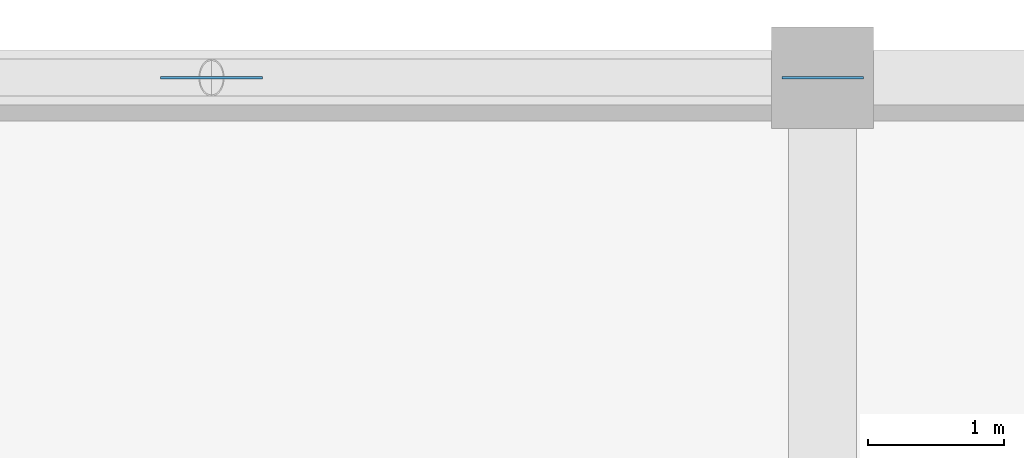
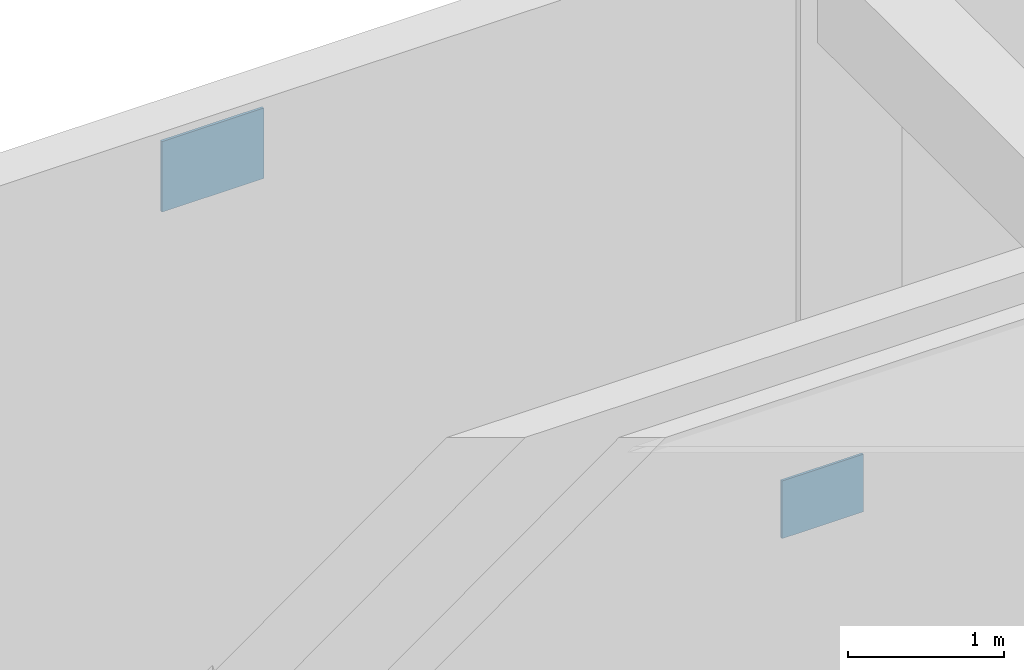
# One storey, part 99 of 128: 2 plates.
"""IFC4 building model written with IfcOpenShell, lengths in metres."""

from ifc_helpers import new_model, si_unit, direction, frame, origin, origin_2d, place, context, subcontext, project, spatial, rectangle, extrude, material, layer, layer_set, type_object, element, save


model = new_model("IFC4")

# Units and contexts
model_context = context("Model", 3, precision=1e-05, world=origin(), true_north=direction((0.0, 1.0)))
body_context = subcontext(model_context, "Body", "Model", "MODEL_VIEW")
ifc_project = project(units=[si_unit("LENGTHUNIT", "METRE"), si_unit("AREAUNIT", "SQUARE_METRE"), si_unit("VOLUMEUNIT", "CUBIC_METRE"), si_unit("PLANEANGLEUNIT", "RADIAN"), si_unit("MASSUNIT", "GRAM", prefix="KILO")], contexts=[model_context])

# Site, building, storey
site_placement = place(None, origin())
site = spatial("IfcSite", under=ifc_project, at=site_placement, CompositionType="ELEMENT")
building_placement = place(site_placement, origin())
building = spatial("IfcBuilding", under=site, at=building_placement, Name="Miravela Opera House", CompositionType="ELEMENT")
storey_placement = place(building_placement, origin())
storey = spatial("IfcBuildingStorey", under=building, at=storey_placement, Name="L00", CompositionType="ELEMENT", Elevation=0.0)

# Plates
ifc_material = material(Name="Structural steel ASTM A572 Gr. 50", Category="steel")
ifc_layer_1 = layer(ifc_material, 0.01806640625)
ifc_layer_set_1 = layer_set([ifc_layer_1])
plate_type_1 = type_object("IfcPlateType", Name="STR-PL-GUS-600X450X18", PredefinedType="USERDEFINED", material=ifc_layer_set_1)
plate_1_placement = place(storey_placement, frame((135.0, 112.0, 0.0751953125), z_axis=(0.0, 0.0, 1.0), x_axis=(1.0, 0.0, 0.0)))
element("IfcPlate", 1, at=plate_1_placement, inside=storey, type_object=plate_type_1, Name="Brace Wall Cast-In Embed Plate 347", ObjectType="GUSSET PLATE", PredefinedType="USERDEFINED", context=body_context, shape_type="SweptSolid", body=[
    extrude(rectangle(XDim=0.60009765625, YDim=0.01806640625, at=origin_2d()), origin(), (0.0, 0.0, 1.0), 0.449951171875),
])
ifc_layer_2 = layer(ifc_material, 0.02001953125)
ifc_layer_set_2 = layer_set([ifc_layer_2])
plate_type_2 = type_object("IfcPlateType", Name="STR-PL-GUS-750X550X20", PredefinedType="USERDEFINED", material=ifc_layer_set_2)
plate_2_placement = place(storey_placement, frame((130.5, 112.0, 4.22509765625), z_axis=(0.0, 0.0, 1.0), x_axis=(1.0, 0.0, 0.0)))
element("IfcPlate", 2, at=plate_2_placement, inside=storey, type_object=plate_type_2, Name="Chevron Brace Apex Gusset Plate 345", ObjectType="GUSSET PLATE", PredefinedType="USERDEFINED", context=body_context, shape_type="SweptSolid", body=[
    extrude(rectangle(XDim=0.75, YDim=0.02001953125, at=origin_2d()), origin(), (0.0, 0.0, 1.0), 0.550048828125),
])

save(model, "model.ifc")
